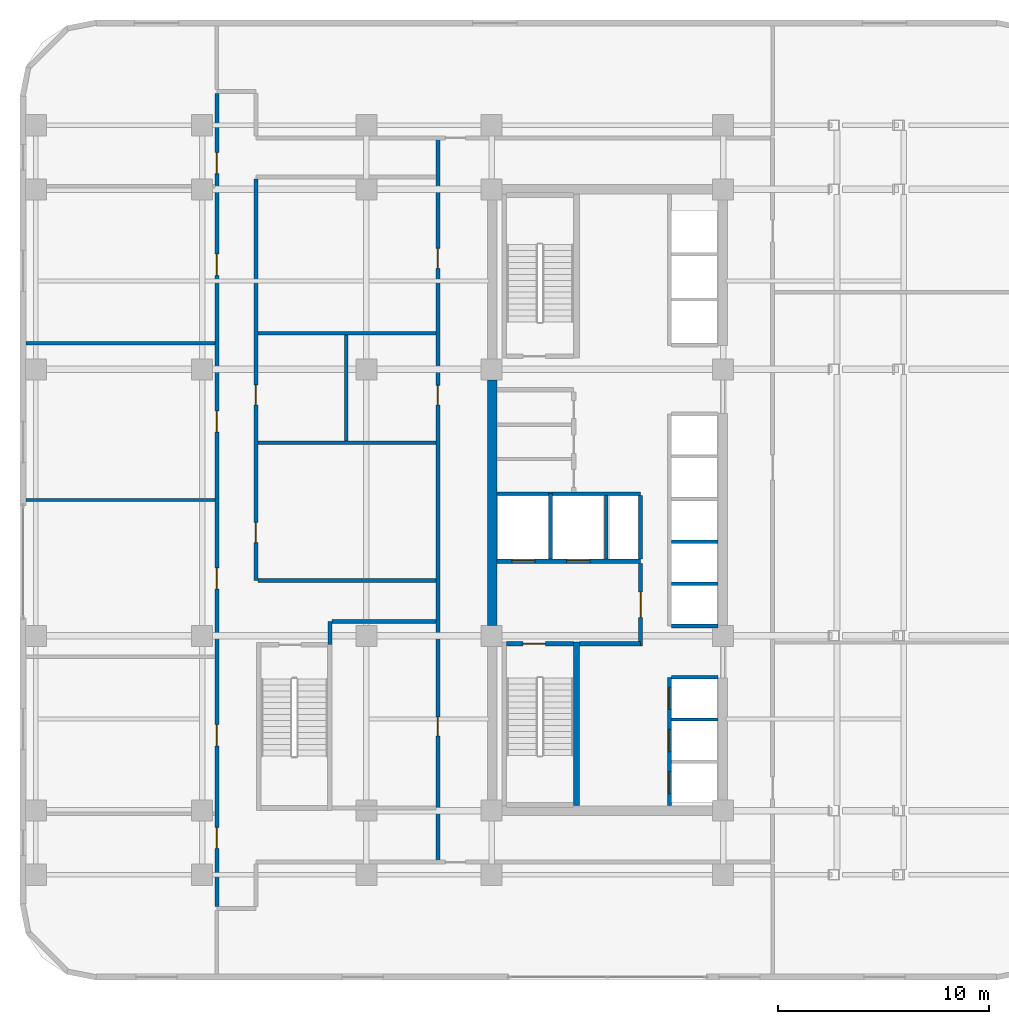
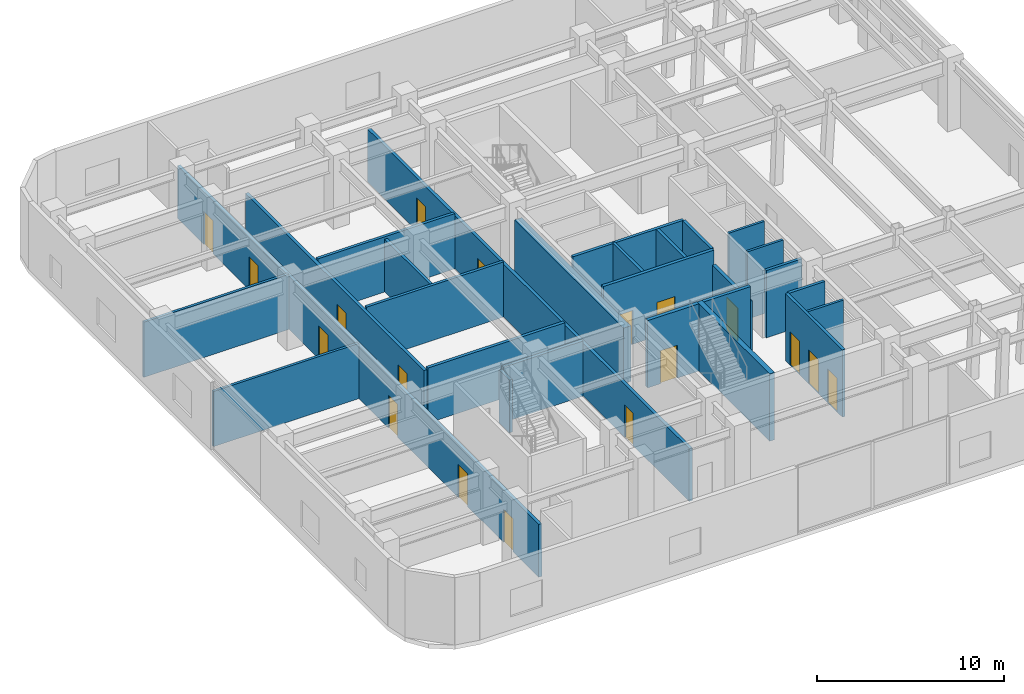
# One storey, part 5 of 10: 27 walls, 18 doors, 18 openings.
"""IFC4 building model written with IfcOpenShell, lengths in metres."""

from ifc_helpers import new_model, si_unit, direction, frame, frame_2d, origin, place, context, subcontext, project, spatial, rectangle, extrude, material, layer, layer_set, type_object, element, fill, save


model = new_model("IFC4")

# Units and contexts
model_context = context("Model", 3, precision=1e-05, world=origin(), true_north=direction((0.0, 1.0)))
body_context = subcontext(model_context, "Body", "Model", "MODEL_VIEW")
ifc_project = project(units=[si_unit("LENGTHUNIT", "METRE"), si_unit("AREAUNIT", "SQUARE_METRE"), si_unit("VOLUMEUNIT", "CUBIC_METRE"), si_unit("PLANEANGLEUNIT", "RADIAN"), si_unit("MASSUNIT", "GRAM", prefix="KILO")], contexts=[model_context])

# Site, building, storey
site_placement = place(None, origin())
site = spatial("IfcSite", under=ifc_project, at=site_placement, CompositionType="ELEMENT")
building_placement = place(site_placement, origin())
building = spatial("IfcBuilding", under=site, at=building_placement, Name="Ochreholt Gables", CompositionType="ELEMENT")
storey_placement = place(building_placement, frame((0.0, 0.0, 14.39990234375)))
storey = spatial("IfcBuildingStorey", under=building, at=storey_placement, Name="L03", CompositionType="ELEMENT", Elevation=14.39990234375)

# Wall
ifc_material_1 = material(Name="Concrete 60 MPa", Category="concrete")
ifc_layer_1 = layer(ifc_material_1, 0.449951171875, Name="Concrete 60 MPa")
ifc_layer_set_1 = layer_set([ifc_layer_1], Name="Concrete 60 MPa")
wall_type_1 = type_object("IfcWallType", Name="WALL-CSW-450", PredefinedType="SHEAR", material=ifc_layer_set_1)
wall_1_placement = place(storey_placement, frame((24.22509765625, 18.050048828125, 0.0), z_axis=(0.0, 0.0, 1.0), x_axis=(0.0, 1.0, 0.0)))
element("IfcWall", 1, at=wall_1_placement, inside=storey, type_object=wall_type_1, Name="L03 Core West Shear Wall WM", PredefinedType="SHEAR", context=body_context, shape_type="SweptSolid", body=[
    extrude(rectangle(XDim=11.64990234375, YDim=0.449951171875, at=frame_2d((5.824951171875, 0.0))), origin(), (0.0, 0.0, 1.0), 3.6201171875),
])

# Wall, openings, doors
ifc_material_2 = material(Name="Concrete 40 MPa", Category="concrete")
ifc_layer_2 = layer(ifc_material_2, 0.199951171875, Name="Concrete 40 MPa")
ifc_layer_set_2 = layer_set([ifc_layer_2], Name="Concrete 40 MPa")
wall_type_2 = type_object("IfcWallType", Name="WALL-INT-CF200", PredefinedType="STANDARD", material=ifc_layer_set_2)
wall_2_placement = place(storey_placement, frame((24.449951171875, 21.090087890625, 0.0), z_axis=(0.0, 0.0, 1.0), x_axis=(1.0, 0.0, 0.0)))
wall_2 = element("IfcWall", 2, at=wall_2_placement, inside=storey, type_object=wall_type_2, Name="L03 Interior Wall WI-FFN-L03", PredefinedType="STANDARD", context=body_context, shape_type="SweptSolid", body=[
    extrude(rectangle(XDim=6.830078125, YDim=0.199951171875, at=frame_2d((3.4150390625, 0.0))), origin(), (0.0, 0.0, 1.0), 4.39013671875),
])
opening_1_placement = place(wall_2_placement, frame((0.719970703125, 0.0, 0.0)))
opening_1 = element("IfcOpeningElement", 3, at=opening_1_placement, cuts=wall_2, Name="Opening LD-FF", PredefinedType="OPENING", context=body_context, shape_type="SweptSolid", body=[
    extrude(rectangle(XDim=1.10009765625, YDim=2.199951171875, at=frame_2d((0.550048828125, 1.10009765625))), frame((0.0, 0.10986328125, 0.0), z_axis=(0.0, -1.0, 0.0), x_axis=(1.0, 0.0, 0.0)), (0.0, 0.0, 1.0), 0.219970703125),
])
opening_2_placement = place(wall_2_placement, frame((3.320068359375, 0.0, 0.0)))
opening_2 = element("IfcOpeningElement", 4, at=opening_2_placement, cuts=wall_2, Name="Opening LD-FF", PredefinedType="OPENING", context=body_context, shape_type="SweptSolid", body=[
    extrude(rectangle(XDim=1.10009765625, YDim=2.199951171875, at=frame_2d((0.550048828125, 1.10009765625))), frame((0.0, 0.10986328125, 0.0), z_axis=(0.0, -1.0, 0.0), x_axis=(1.0, 0.0, 0.0)), (0.0, 0.0, 1.0), 0.219970703125),
])
ifc_material_3 = material(Name="Stainless Steel", Category="steel")
door_type_1 = type_object("IfcDoorType", Name="DR-LFT-FF1100", OperationType="NOTDEFINED", PredefinedType="DOOR", material=ifc_material_3)
door_1_placement = place(opening_1_placement, origin())
door_1 = element("IfcDoor", 5, at=door_1_placement, inside=storey, type_object=door_type_1, Name="L03 Door LD-FF1-L03", OperationType="SLIDING_TO_LEFT", OverallHeight=2.199951171875, OverallWidth=1.10009765625, PredefinedType="DOOR", context=body_context, shape_type="SweptSolid", body=[
    extrude(rectangle(XDim=1.10009765625, YDim=2.199951171875, at=frame_2d((0.550048828125, 1.10009765625))), frame((0.0, 0.02490234375, 0.0), z_axis=(0.0, -1.0, 0.0), x_axis=(1.0, 0.0, 0.0)), (0.0, 0.0, 1.0), 0.050048828125),
])
fill(opening_1, door_1)
door_2_placement = place(opening_2_placement, origin())
door_2 = element("IfcDoor", 6, at=door_2_placement, inside=storey, type_object=door_type_1, Name="L03 Door LD-FF2-L03", OperationType="SLIDING_TO_LEFT", OverallHeight=2.199951171875, OverallWidth=1.10009765625, PredefinedType="DOOR", context=body_context, shape_type="SweptSolid", body=[
    extrude(rectangle(XDim=1.10009765625, YDim=2.199951171875, at=frame_2d((0.550048828125, 1.10009765625))), frame((0.0, 0.02490234375, 0.0), z_axis=(0.0, -1.0, 0.0), x_axis=(1.0, 0.0, 0.0)), (0.0, 0.0, 1.0), 0.050048828125),
])
fill(opening_2, door_2)

# Wall
wall_3_placement = place(storey_placement, frame((28.3798828125, 17.169921875, 0.0), z_axis=(0.0, 0.0, 1.0), x_axis=(1.0, 0.0, 0.0)))
element("IfcWall", 7, at=wall_3_placement, inside=storey, type_object=wall_type_2, Name="L03 Interior Wall WI-FFS-L03", PredefinedType="STANDARD", context=body_context, shape_type="SweptSolid", body=[
    extrude(rectangle(XDim=2.900146484375, YDim=0.199951171875, at=frame_2d((1.4501953125, 0.0))), origin(), (0.0, 0.0, 1.0), 4.39013671875),
])

# Wall, opening, door
wall_4_placement = place(storey_placement, frame((31.280029296875, 17.070068359375, 0.0), z_axis=(0.0, 0.0, 1.0), x_axis=(0.0, 1.0, 0.0)))
wall_4 = element("IfcWall", 8, at=wall_4_placement, inside=storey, type_object=wall_type_2, Name="L03 Interior Wall WI-FFE-L03", PredefinedType="STANDARD", context=body_context, shape_type="SweptSolid", body=[
    extrude(rectangle(XDim=3.919921875, YDim=0.199951171875, at=frame_2d((1.9599609375, 0.0))), origin(), (0.0, 0.0, 1.0), 3.445068359375),
])
opening_3_placement = place(wall_4_placement, frame((1.35009765625, 0.0, 0.0)))
opening_3 = element("IfcOpeningElement", 9, at=opening_3_placement, cuts=wall_4, Name="Opening D-FFL", PredefinedType="OPENING", context=body_context, shape_type="SweptSolid", body=[
    extrude(rectangle(XDim=1.199951171875, YDim=2.14990234375, at=frame_2d((0.60009765625, 1.074951171875))), frame((0.0, 0.10986328125, 0.0), z_axis=(0.0, -1.0, 0.0), x_axis=(1.0, 0.0, 0.0)), (0.0, 0.0, 1.0), 0.219970703125),
])
ifc_material_4 = material(Name="Hollow Metal Steel", Category="steel")
door_type_2 = type_object("IfcDoorType", Name="DR-INT-FFL1200", OperationType="NOTDEFINED", PredefinedType="DOOR", material=ifc_material_4)
door_3_placement = place(opening_3_placement, origin())
door_3 = element("IfcDoor", 10, at=door_3_placement, inside=storey, type_object=door_type_2, Name="L03 Door D-FFL-L03", OperationType="SINGLE_SWING_LEFT", OverallHeight=2.14990234375, OverallWidth=1.199951171875, PredefinedType="DOOR", context=body_context, shape_type="SweptSolid", body=[
    extrude(rectangle(XDim=1.199951171875, YDim=2.14990234375, at=frame_2d((0.60009765625, 1.074951171875))), frame((0.0, 0.02490234375, 0.0), z_axis=(0.0, -1.0, 0.0), x_axis=(1.0, 0.0, 0.0)), (0.0, 0.0, 1.0), 0.050048828125),
])
fill(opening_3, door_3)

# Wall, openings, doors
ifc_material_5 = material(Name="Fire-Rated Gypsum Acoustic Partition", Category="gypsum")
ifc_layer_3 = layer(ifc_material_5, 0.18994140625, Name="Fire-Rated Gypsum Acoustic Partition")
ifc_layer_set_3 = layer_set([ifc_layer_3], Name="Fire-Rated Gypsum Acoustic Partition")
wall_type_3 = type_object("IfcWallType", Name="WALL-INT-CR190", PredefinedType="STANDARD", material=ifc_layer_set_3)
wall_5_placement = place(storey_placement, frame((21.64990234375, 6.800048828125, 0.0), z_axis=(0.0, 0.0, 1.0), x_axis=(0.0, 1.0, 0.0)))
wall_5 = element("IfcWall", 11, at=wall_5_placement, inside=storey, type_object=wall_type_3, Name="L03 Interior Wall WI-CLCW-L03", PredefinedType="STANDARD", context=body_context, shape_type="SweptSolid", body=[
    extrude(rectangle(XDim=34.39990234375, YDim=0.18994140625, at=frame_2d((17.199951171875, 0.0))), origin(), (0.0, 0.0, 1.0), 3.445068359375),
])
opening_4_placement = place(wall_5_placement, frame((21.719970703125, 0.0, 0.0)))
opening_4 = element("IfcOpeningElement", 12, at=opening_4_placement, cuts=wall_5, Name="Opening D-WC1", PredefinedType="OPENING", context=body_context, shape_type="SweptSolid", body=[
    extrude(rectangle(XDim=0.919921875, YDim=2.139892578125, at=frame_2d((0.4599609375, 1.06982421875))), frame((0.0, 0.10498046875, 0.0), z_axis=(0.0, -1.0, 0.0), x_axis=(1.0, 0.0, 0.0)), (0.0, 0.0, 1.0), 0.2099609375),
])
opening_5_placement = place(wall_5_placement, frame((28.199951171875, 0.0, 0.0)))
opening_5 = element("IfcOpeningElement", 13, at=opening_5_placement, cuts=wall_5, Name="Opening D-GN1", PredefinedType="OPENING", context=body_context, shape_type="SweptSolid", body=[
    extrude(rectangle(XDim=0.949951171875, YDim=2.14990234375, at=frame_2d((0.47509765625, 1.074951171875))), frame((0.0, 0.10498046875, 0.0), z_axis=(0.0, -1.0, 0.0), x_axis=(1.0, 0.0, 0.0)), (0.0, 0.0, 1.0), 0.2099609375),
])
opening_6_placement = place(wall_5_placement, frame((6.0, 0.0, 0.0)))
opening_6 = element("IfcOpeningElement", 14, at=opening_6_placement, cuts=wall_5, Name="Opening D-SV1", PredefinedType="OPENING", context=body_context, shape_type="SweptSolid", body=[
    extrude(rectangle(XDim=0.89990234375, YDim=2.10009765625, at=frame_2d((0.449951171875, 1.050048828125))), frame((0.0, 0.10498046875, 0.0), z_axis=(0.0, -1.0, 0.0), x_axis=(1.0, 0.0, 0.0)), (0.0, 0.0, 1.0), 0.2099609375),
])
ifc_material_6 = material(Name="Engineered Oak Timber", Category="wood")
door_type_3 = type_object("IfcDoorType", Name="DR-INT-GEN950", OperationType="NOTDEFINED", PredefinedType="DOOR", material=ifc_material_6)
door_4_placement = place(opening_5_placement, origin())
door_4 = element("IfcDoor", 15, at=door_4_placement, inside=storey, type_object=door_type_3, Name="L03 Door D-CLMN2-L03", OperationType="SINGLE_SWING_RIGHT", OverallHeight=2.14990234375, OverallWidth=0.949951171875, PredefinedType="DOOR", context=body_context, shape_type="SweptSolid", body=[
    extrude(rectangle(XDim=0.949951171875, YDim=2.14990234375, at=frame_2d((0.47509765625, 1.074951171875))), frame((0.0, 0.02490234375, 0.0), z_axis=(0.0, -1.0, 0.0), x_axis=(1.0, 0.0, 0.0)), (0.0, 0.0, 1.0), 0.050048828125),
])
fill(opening_5, door_4)
door_type_4 = type_object("IfcDoorType", Name="DR-INT-SRV900", OperationType="NOTDEFINED", PredefinedType="DOOR", material=ifc_material_4)
door_5_placement = place(opening_6_placement, origin())
door_5 = element("IfcDoor", 16, at=door_5_placement, inside=storey, type_object=door_type_4, Name="L03 Door D-CLMRS-L03", OperationType="SINGLE_SWING_LEFT", OverallHeight=2.10009765625, OverallWidth=0.89990234375, PredefinedType="DOOR", context=body_context, shape_type="SweptSolid", body=[
    extrude(rectangle(XDim=0.89990234375, YDim=2.10009765625, at=frame_2d((0.449951171875, 1.050048828125))), frame((0.0, 0.02490234375, 0.0), z_axis=(0.0, -1.0, 0.0), x_axis=(1.0, 0.0, 0.0)), (0.0, 0.0, 1.0), 0.050048828125),
])
fill(opening_6, door_5)
door_type_5 = type_object("IfcDoorType", Name="DR-INT-WC920", OperationType="NOTDEFINED", PredefinedType="DOOR", material=ifc_material_6)
door_6_placement = place(opening_4_placement, origin())
door_6 = element("IfcDoor", 17, at=door_6_placement, inside=storey, type_object=door_type_5, Name="L03 Door D-CLMWC2-L03", OperationType="SINGLE_SWING_LEFT", OverallHeight=2.139892578125, OverallWidth=0.919921875, PredefinedType="DOOR", context=body_context, shape_type="SweptSolid", body=[
    extrude(rectangle(XDim=0.919921875, YDim=2.139892578125, at=frame_2d((0.4599609375, 1.06982421875))), frame((0.0, 0.02490234375, 0.0), z_axis=(0.0, -1.0, 0.0), x_axis=(1.0, 0.0, 0.0)), (0.0, 0.0, 1.0), 0.050048828125),
])
fill(opening_4, door_6)

wall_6_placement = place(storey_placement, frame((11.14990234375, 4.695068359375, 0.0), z_axis=(0.0, 0.0, 1.0), x_axis=(0.0, 1.0, 0.0)))
wall_6 = element("IfcWall", 18, at=wall_6_placement, inside=storey, type_object=wall_type_3, Name="L03 Interior Wall WI-CLCWW-L03", PredefinedType="STANDARD", context=body_context, shape_type="SweptSolid", body=[
    extrude(rectangle(XDim=38.60986328125, YDim=0.18994140625, at=frame_2d((19.304931640625, 0.0))), origin(), (0.0, 0.0, 1.0), 3.445068359375),
])
opening_7_placement = place(wall_6_placement, frame((2.7548828125, 0.0, 0.0)))
opening_7 = element("IfcOpeningElement", 19, at=opening_7_placement, cuts=wall_6, Name="Opening D-CL3", PredefinedType="OPENING", context=body_context, shape_type="SweptSolid", body=[
    extrude(rectangle(XDim=1.0, YDim=2.14990234375, at=frame_2d((0.5, 1.074951171875))), frame((0.0, 0.10498046875, 0.0), z_axis=(0.0, -1.0, 0.0), x_axis=(1.0, 0.0, 0.0)), (0.0, 0.0, 1.0), 0.2099609375),
])
opening_8_placement = place(wall_6_placement, frame((7.6298828125, 0.0, 0.0)))
opening_8 = element("IfcOpeningElement", 20, at=opening_8_placement, cuts=wall_6, Name="Opening D-CL3", PredefinedType="OPENING", context=body_context, shape_type="SweptSolid", body=[
    extrude(rectangle(XDim=1.0, YDim=2.14990234375, at=frame_2d((0.5, 1.074951171875))), frame((0.0, 0.10498046875, 0.0), z_axis=(0.0, -1.0, 0.0), x_axis=(1.0, 0.0, 0.0)), (0.0, 0.0, 1.0), 0.2099609375),
])
opening_9_placement = place(wall_6_placement, frame((15.080078125, 0.0, 0.0)))
opening_9 = element("IfcOpeningElement", 21, at=opening_9_placement, cuts=wall_6, Name="Opening D-CL3", PredefinedType="OPENING", context=body_context, shape_type="SweptSolid", body=[
    extrude(rectangle(XDim=1.0, YDim=2.14990234375, at=frame_2d((0.5, 1.074951171875))), frame((0.0, 0.10498046875, 0.0), z_axis=(0.0, -1.0, 0.0), x_axis=(1.0, 0.0, 0.0)), (0.0, 0.0, 1.0), 0.2099609375),
])
opening_10_placement = place(wall_6_placement, frame((22.530029296875, 0.0, 0.0)))
opening_10 = element("IfcOpeningElement", 22, at=opening_10_placement, cuts=wall_6, Name="Opening D-CL3", PredefinedType="OPENING", context=body_context, shape_type="SweptSolid", body=[
    extrude(rectangle(XDim=1.0, YDim=2.14990234375, at=frame_2d((0.5, 1.074951171875))), frame((0.0, 0.10498046875, 0.0), z_axis=(0.0, -1.0, 0.0), x_axis=(1.0, 0.0, 0.0)), (0.0, 0.0, 1.0), 0.2099609375),
])
opening_11_placement = place(wall_6_placement, frame((29.97998046875, 0.0, 0.0)))
opening_11 = element("IfcOpeningElement", 23, at=opening_11_placement, cuts=wall_6, Name="Opening D-CL3", PredefinedType="OPENING", context=body_context, shape_type="SweptSolid", body=[
    extrude(rectangle(XDim=1.0, YDim=2.14990234375, at=frame_2d((0.5, 1.074951171875))), frame((0.0, 0.10498046875, 0.0), z_axis=(0.0, -1.0, 0.0), x_axis=(1.0, 0.0, 0.0)), (0.0, 0.0, 1.0), 0.2099609375),
])
opening_12_placement = place(wall_6_placement, frame((34.804931640625, 0.0, 0.0)))
opening_12 = element("IfcOpeningElement", 24, at=opening_12_placement, cuts=wall_6, Name="Opening D-CL3", PredefinedType="OPENING", context=body_context, shape_type="SweptSolid", body=[
    extrude(rectangle(XDim=1.0, YDim=2.14990234375, at=frame_2d((0.5, 1.074951171875))), frame((0.0, 0.10498046875, 0.0), z_axis=(0.0, -1.0, 0.0), x_axis=(1.0, 0.0, 0.0)), (0.0, 0.0, 1.0), 0.2099609375),
])
door_type_6 = type_object("IfcDoorType", Name="DR-INT-CLN1000", OperationType="NOTDEFINED", PredefinedType="DOOR", material=ifc_material_6)
door_7_placement = place(opening_7_placement, origin())
door_7 = element("IfcDoor", 25, at=door_7_placement, inside=storey, type_object=door_type_6, Name="L03 Door D-CLW1-L03", OperationType="SINGLE_SWING_LEFT", OverallHeight=2.14990234375, OverallWidth=1.0, PredefinedType="DOOR", context=body_context, shape_type="SweptSolid", body=[
    extrude(rectangle(XDim=1.0, YDim=2.14990234375, at=frame_2d((0.5, 1.074951171875))), frame((0.0, 0.02490234375, 0.0), z_axis=(0.0, -1.0, 0.0), x_axis=(1.0, 0.0, 0.0)), (0.0, 0.0, 1.0), 0.050048828125),
])
fill(opening_7, door_7)
door_8_placement = place(opening_8_placement, origin())
door_8 = element("IfcDoor", 26, at=door_8_placement, inside=storey, type_object=door_type_6, Name="L03 Door D-CLW2-L03", OperationType="SINGLE_SWING_RIGHT", OverallHeight=2.14990234375, OverallWidth=1.0, PredefinedType="DOOR", context=body_context, shape_type="SweptSolid", body=[
    extrude(rectangle(XDim=1.0, YDim=2.14990234375, at=frame_2d((0.5, 1.074951171875))), frame((0.0, 0.02490234375, 0.0), z_axis=(0.0, -1.0, 0.0), x_axis=(1.0, 0.0, 0.0)), (0.0, 0.0, 1.0), 0.050048828125),
])
fill(opening_8, door_8)
door_9_placement = place(opening_9_placement, origin())
door_9 = element("IfcDoor", 27, at=door_9_placement, inside=storey, type_object=door_type_6, Name="L03 Door D-CLW3-L03", OperationType="SINGLE_SWING_LEFT", OverallHeight=2.14990234375, OverallWidth=1.0, PredefinedType="DOOR", context=body_context, shape_type="SweptSolid", body=[
    extrude(rectangle(XDim=1.0, YDim=2.14990234375, at=frame_2d((0.5, 1.074951171875))), frame((0.0, 0.02490234375, 0.0), z_axis=(0.0, -1.0, 0.0), x_axis=(1.0, 0.0, 0.0)), (0.0, 0.0, 1.0), 0.050048828125),
])
fill(opening_9, door_9)
door_10_placement = place(opening_10_placement, origin())
door_10 = element("IfcDoor", 28, at=door_10_placement, inside=storey, type_object=door_type_6, Name="L03 Door D-CLW4-L03", OperationType="SINGLE_SWING_RIGHT", OverallHeight=2.14990234375, OverallWidth=1.0, PredefinedType="DOOR", context=body_context, shape_type="SweptSolid", body=[
    extrude(rectangle(XDim=1.0, YDim=2.14990234375, at=frame_2d((0.5, 1.074951171875))), frame((0.0, 0.02490234375, 0.0), z_axis=(0.0, -1.0, 0.0), x_axis=(1.0, 0.0, 0.0)), (0.0, 0.0, 1.0), 0.050048828125),
])
fill(opening_10, door_10)
door_11_placement = place(opening_11_placement, origin())
door_11 = element("IfcDoor", 29, at=door_11_placement, inside=storey, type_object=door_type_6, Name="L03 Door D-CLW5-L03", OperationType="SINGLE_SWING_LEFT", OverallHeight=2.14990234375, OverallWidth=1.0, PredefinedType="DOOR", context=body_context, shape_type="SweptSolid", body=[
    extrude(rectangle(XDim=1.0, YDim=2.14990234375, at=frame_2d((0.5, 1.074951171875))), frame((0.0, 0.02490234375, 0.0), z_axis=(0.0, -1.0, 0.0), x_axis=(1.0, 0.0, 0.0)), (0.0, 0.0, 1.0), 0.050048828125),
])
fill(opening_11, door_11)
door_12_placement = place(opening_12_placement, origin())
door_12 = element("IfcDoor", 30, at=door_12_placement, inside=storey, type_object=door_type_6, Name="L03 Door D-CLW6-L03", OperationType="SINGLE_SWING_RIGHT", OverallHeight=2.14990234375, OverallWidth=1.0, PredefinedType="DOOR", context=body_context, shape_type="SweptSolid", body=[
    extrude(rectangle(XDim=1.0, YDim=2.14990234375, at=frame_2d((0.5, 1.074951171875))), frame((0.0, 0.02490234375, 0.0), z_axis=(0.0, -1.0, 0.0), x_axis=(1.0, 0.0, 0.0)), (0.0, 0.0, 1.0), 0.050048828125),
])
fill(opening_12, door_12)

wall_7_placement = place(storey_placement, frame((13.0, 20.179931640625, 0.0), z_axis=(0.0, 0.0, 1.0), x_axis=(0.0, 1.0, 0.0)))
wall_7 = element("IfcWall", 31, at=wall_7_placement, inside=storey, type_object=wall_type_3, Name="L03 Interior Wall WI-CLCWE-L03", PredefinedType="STANDARD", context=body_context, shape_type="SweptSolid", body=[
    extrude(rectangle(XDim=19.074951171875, YDim=0.18994140625, at=frame_2d((9.53759765625, 0.0))), origin(), (0.0, 0.0, 1.0), 3.445068359375),
])
opening_13_placement = place(wall_7_placement, frame((1.800048828125, 0.0, 0.0)))
opening_13 = element("IfcOpeningElement", 32, at=opening_13_placement, cuts=wall_7, Name="Opening D-GN1", PredefinedType="OPENING", context=body_context, shape_type="SweptSolid", body=[
    extrude(rectangle(XDim=0.949951171875, YDim=2.14990234375, at=frame_2d((0.47509765625, 1.074951171875))), frame((0.0, 0.10498046875, 0.0), z_axis=(0.0, -1.0, 0.0), x_axis=(1.0, 0.0, 0.0)), (0.0, 0.0, 1.0), 0.2099609375),
])
opening_14_placement = place(wall_7_placement, frame((8.340087890625, 0.0, 0.0)))
opening_14 = element("IfcOpeningElement", 33, at=opening_14_placement, cuts=wall_7, Name="Opening D-WC2", PredefinedType="OPENING", context=body_context, shape_type="SweptSolid", body=[
    extrude(rectangle(XDim=0.949951171875, YDim=2.139892578125, at=frame_2d((0.47509765625, 1.06982421875))), frame((0.0, 0.10498046875, 0.0), z_axis=(0.0, -1.0, 0.0), x_axis=(1.0, 0.0, 0.0)), (0.0, 0.0, 1.0), 0.2099609375),
])
door_13_placement = place(opening_13_placement, origin())
door_13 = element("IfcDoor", 34, at=door_13_placement, inside=storey, type_object=door_type_3, Name="L03 Door D-CLMN1-L03", OperationType="SINGLE_SWING_LEFT", OverallHeight=2.14990234375, OverallWidth=0.949951171875, PredefinedType="DOOR", context=body_context, shape_type="SweptSolid", body=[
    extrude(rectangle(XDim=0.949951171875, YDim=2.14990234375, at=frame_2d((0.47509765625, 1.074951171875))), frame((0.0, 0.02490234375, 0.0), z_axis=(0.0, -1.0, 0.0), x_axis=(1.0, 0.0, 0.0)), (0.0, 0.0, 1.0), 0.050048828125),
])
fill(opening_13, door_13)
door_type_7 = type_object("IfcDoorType", Name="DR-INT-WC950", OperationType="NOTDEFINED", PredefinedType="DOOR", material=ifc_material_6)
door_14_placement = place(opening_14_placement, origin())
door_14 = element("IfcDoor", 35, at=door_14_placement, inside=storey, type_object=door_type_7, Name="L03 Door D-CLMWC1-L03", OperationType="SINGLE_SWING_RIGHT", OverallHeight=2.139892578125, OverallWidth=0.949951171875, PredefinedType="DOOR", context=body_context, shape_type="SweptSolid", body=[
    extrude(rectangle(XDim=0.949951171875, YDim=2.139892578125, at=frame_2d((0.47509765625, 1.06982421875))), frame((0.0, 0.02490234375, 0.0), z_axis=(0.0, -1.0, 0.0), x_axis=(1.0, 0.0, 0.0)), (0.0, 0.0, 1.0), 0.050048828125),
])
fill(opening_14, door_14)

# Walls
wall_8_placement = place(storey_placement, frame((16.6298828125, 18.219970703125, 0.0), z_axis=(0.0, 0.0, 1.0), x_axis=(1.0, 0.0, 0.0)))
element("IfcWall", 36, at=wall_8_placement, inside=storey, type_object=wall_type_3, Name="L03 Interior Wall WI-CLSTP-L03", PredefinedType="STANDARD", context=body_context, shape_type="SweptSolid", body=[
    extrude(rectangle(XDim=4.925048828125, YDim=0.18994140625, at=frame_2d((2.46240234375, 0.0))), origin(), (0.0, 0.0, 1.0), 3.60205078125),
])
wall_9_placement = place(storey_placement, frame((16.52001953125, 17.1298828125, 0.0), z_axis=(0.0, 0.0, 1.0), x_axis=(0.0, 1.0, 0.0)))
element("IfcWall", 37, at=wall_9_placement, inside=storey, type_object=wall_type_3, Name="L03 Interior Wall WI-CLSTPE-L03", PredefinedType="STANDARD", context=body_context, shape_type="SweptSolid", body=[
    extrude(rectangle(XDim=1.090087890625, YDim=0.18994140625, at=frame_2d((0.544921875, 0.0))), origin(), (0.0, 0.0, 1.0), 3.445068359375),
])
wall_10_placement = place(storey_placement, frame((13.094970703125, 20.179931640625, 0.0), z_axis=(0.0, 0.0, 1.0), x_axis=(1.0, 0.0, 0.0)))
element("IfcWall", 38, at=wall_10_placement, inside=storey, type_object=wall_type_3, Name="L03 Interior Wall WI-CLSTP2-L03", PredefinedType="STANDARD", context=body_context, shape_type="SweptSolid", body=[
    extrude(rectangle(XDim=8.4599609375, YDim=0.18994140625, at=frame_2d((4.22998046875, 0.0))), origin(), (0.0, 0.0, 1.0), 3.60205078125),
])
ifc_material_7 = material(Name="Moisture-Resistant Plumbing Chase Wall", Category="gypsum")
ifc_layer_4 = layer(ifc_material_7, 0.175048828125, Name="Moisture-Resistant Plumbing Chase Wall")
ifc_layer_set_4 = layer_set([ifc_layer_4], Name="Moisture-Resistant Plumbing Chase Wall")
wall_type_4 = type_object("IfcWallType", Name="WALL-INT-PL175", PredefinedType="PLUMBINGWALL", material=ifc_layer_set_4)
for number, where, z_axis, x_axis, name in (
    (39, (13.094970703125, 26.719970703125, 0.0), (0.0, 0.0, 1.0), (1.0, 0.0, 0.0), "L03 Interior Wall WI-CLMW1-L03"),
    (40, (13.094970703125, 31.919921875, 0.0), (0.0, 0.0, 1.0), (1.0, 0.0, 0.0), "L03 Interior Wall WI-CLMW2-L03"),
):
    element("IfcWall", number, at=place(storey_placement, frame(where, z_axis=z_axis, x_axis=x_axis)), inside=storey, type_object=wall_type_4, Name=name, PredefinedType="PLUMBINGWALL", context=body_context, shape_type="SweptSolid", body=[
        extrude(rectangle(XDim=8.4599609375, YDim=0.175048828125, at=frame_2d((4.22998046875, 0.0))), origin(), (0.0, 0.0, 1.0), 3.60205078125),
    ])
wall_11_placement = place(storey_placement, frame((17.300048828125, 26.8076171875, 0.0), z_axis=(0.0, 0.0, 1.0), x_axis=(0.0, 1.0, 0.0)))
element("IfcWall", 41, at=wall_11_placement, inside=storey, type_object=wall_type_4, Name="L03 Interior Wall WI-CLMW3-L03", PredefinedType="PLUMBINGWALL", context=body_context, shape_type="SweptSolid", body=[
    extrude(rectangle(XDim=5.02490234375, YDim=0.175048828125, at=frame_2d((2.512451171875, 0.0))), origin(), (0.0, 0.0, 1.0), 3.445068359375),
])
ifc_material_8 = material(Name="Gypsum Acoustic Stud Partition", Category="gypsum")
ifc_layer_5 = layer(ifc_material_8, 0.159912109375, Name="Gypsum Acoustic Stud Partition")
ifc_layer_set_5 = layer_set([ifc_layer_5], Name="Gypsum Acoustic Stud Partition")
wall_type_5 = type_object("IfcWallType", Name="WALL-INT-PT160", PredefinedType="PARTITIONING", material=ifc_layer_set_5)
for number, where, z_axis, x_axis, name in (
    (42, (2.090087890625, 24.0, 0.0), (0.0, 0.0, 1.0), (1.0, 0.0, 0.0), "L03 Interior Wall WI-CLW3-L03"),
    (43, (2.090087890625, 31.449951171875, 0.0), (0.0, 0.0, 1.0), (1.0, 0.0, 0.0), "L03 Interior Wall WI-CLW4-L03"),
):
    element("IfcWall", number, at=place(storey_placement, frame(where, z_axis=z_axis, x_axis=x_axis)), inside=storey, type_object=wall_type_5, Name=name, PredefinedType="PARTITIONING", context=body_context, shape_type="SweptSolid", body=[
        extrude(rectangle(XDim=8.96484375, YDim=0.159912109375, at=frame_2d((4.482421875, 0.0))), origin(), (0.0, 0.0, 1.0), 3.60205078125),
    ])
ifc_material_9 = material(Name="Gypsum Shaftliner and Steel Stud", Category="steel")
ifc_layer_6 = layer(ifc_material_9, 0.14990234375, Name="Gypsum Shaftliner and Steel Stud")
ifc_layer_set_6 = layer_set([ifc_layer_6], Name="Gypsum Shaftliner and Steel Stud")
wall_type_6 = type_object("IfcWallType", Name="WALL-INT-SH150", PredefinedType="STANDARD", material=ifc_layer_set_6)
for number, where, z_axis, x_axis, name in (
    (44, (32.739990234375, 13.570068359375, 0.0), (0.0, 0.0, 1.0), (1.0, 0.0, 0.0), "L03 Interior Wall WI-LFL-D2-L03"),
    (45, (32.739990234375, 20.02001953125, 0.0), (0.0, 0.0, 1.0), (1.0, 0.0, 0.0), "L03 Interior Wall WI-LFHE-DH1-L03"),
    (46, (32.739990234375, 22.02001953125, 0.0), (0.0, 0.0, 1.0), (1.0, 0.0, 0.0), "L03 Interior Wall WI-LFHE-DH2-L03"),
):
    element("IfcWall", number, at=place(storey_placement, frame(where, z_axis=z_axis, x_axis=x_axis)), inside=storey, type_object=wall_type_6, Name=name, PredefinedType="STANDARD", context=body_context, shape_type="SweptSolid", body=[
        extrude(rectangle(XDim=2.2099609375, YDim=0.14990234375, at=frame_2d((1.10498046875, 0.0))), origin(), (0.0, 0.0, 1.0), 4.39013671875),
    ])
ifc_layer_7 = layer(ifc_material_9, 0.179931640625, Name="Gypsum Shaftliner and Steel Stud")
ifc_layer_set_7 = layer_set([ifc_layer_7], Name="Gypsum Shaftliner and Steel Stud")
wall_type_7 = type_object("IfcWallType", Name="WALL-INT-SH180", PredefinedType="STANDARD", material=ifc_layer_set_7)
wall_12_placement = place(storey_placement, frame((27.0, 21.18994140625, 0.0), z_axis=(0.0, 0.0, 1.0), x_axis=(0.0, 1.0, 0.0)))
element("IfcWall", 47, at=wall_12_placement, inside=storey, type_object=wall_type_7, Name="L03 Interior Wall WI-FFDIV-L03", PredefinedType="STANDARD", context=body_context, shape_type="SweptSolid", body=[
    extrude(rectangle(XDim=3.110107421875, YDim=0.179931640625, at=frame_2d((1.55517578125, 0.0))), origin(), (0.0, 0.0, 1.0), 4.39013671875),
])
wall_13_placement = place(storey_placement, frame((24.449951171875, 24.300048828125, 0.0), z_axis=(0.0, 0.0, 1.0), x_axis=(1.0, 0.0, 0.0)))
element("IfcWall", 48, at=wall_13_placement, inside=storey, type_object=wall_type_7, Name="L03 Interior Wall WI-FFBK-L03", PredefinedType="STANDARD", context=body_context, shape_type="SweptSolid", body=[
    extrude(rectangle(XDim=6.830078125, YDim=0.179931640625, at=frame_2d((3.4150390625, 0.0))), origin(), (0.0, 0.0, 1.0), 4.39013671875),
])
for number, where, z_axis, x_axis, name in (
    (49, (29.64990234375, 21.18994140625, 0.0), (0.0, 0.0, 1.0), (0.0, 1.0, 0.0), "L03 Interior Wall WI-FFSH-L03"),
    (50, (31.280029296875, 21.18994140625, 0.0), (0.0, 0.0, 1.0), (0.0, 1.0, 0.0), "L03 Interior Wall WI-RSE-L03"),
):
    element("IfcWall", number, at=place(storey_placement, frame(where, z_axis=z_axis, x_axis=x_axis)), inside=storey, type_object=wall_type_7, Name=name, PredefinedType="STANDARD", context=body_context, shape_type="SweptSolid", body=[
        extrude(rectangle(XDim=3.02001953125, YDim=0.179931640625, at=frame_2d((1.510009765625, 0.0))), origin(), (0.0, 0.0, 1.0), 4.39013671875),
    ])

# Wall, openings, doors
wall_14_placement = place(storey_placement, frame((32.64990234375, 9.5, 0.0), z_axis=(0.0, 0.0, 1.0), x_axis=(0.0, 1.0, 0.0)))
wall_14 = element("IfcWall", 51, at=wall_14_placement, inside=storey, type_object=wall_type_7, Name="L03 Interior Wall WI-LFL-FR-L03", PredefinedType="STANDARD", context=body_context, shape_type="SweptSolid", body=[
    extrude(rectangle(XDim=6.080078125, YDim=0.179931640625, at=frame_2d((3.0400390625, 0.0))), origin(), (0.0, 0.0, 1.0), 4.39013671875),
])
opening_15_placement = place(wall_14_placement, frame((0.550048828125, 0.0, 0.0)))
opening_15 = element("IfcOpeningElement", 52, at=opening_15_placement, cuts=wall_14, Name="Opening LD-PX", PredefinedType="OPENING", context=body_context, shape_type="SweptSolid", body=[
    extrude(rectangle(XDim=1.050048828125, YDim=2.199951171875, at=frame_2d((0.52490234375, 1.10009765625))), frame((0.0, 0.099853515625, 0.0), z_axis=(0.0, -1.0, 0.0), x_axis=(1.0, 0.0, 0.0)), (0.0, 0.0, 1.0), 0.199951171875),
])
opening_16_placement = place(wall_14_placement, frame((2.550048828125, 0.0, 0.0)))
opening_16 = element("IfcOpeningElement", 53, at=opening_16_placement, cuts=wall_14, Name="Opening LD-PX", PredefinedType="OPENING", context=body_context, shape_type="SweptSolid", body=[
    extrude(rectangle(XDim=1.050048828125, YDim=2.199951171875, at=frame_2d((0.52490234375, 1.10009765625))), frame((0.0, 0.099853515625, 0.0), z_axis=(0.0, -1.0, 0.0), x_axis=(1.0, 0.0, 0.0)), (0.0, 0.0, 1.0), 0.199951171875),
])
opening_17_placement = place(wall_14_placement, frame((4.550048828125, 0.0, 0.0)))
opening_17 = element("IfcOpeningElement", 54, at=opening_17_placement, cuts=wall_14, Name="Opening LD-PX", PredefinedType="OPENING", context=body_context, shape_type="SweptSolid", body=[
    extrude(rectangle(XDim=1.050048828125, YDim=2.199951171875, at=frame_2d((0.52490234375, 1.10009765625))), frame((0.0, 0.099853515625, 0.0), z_axis=(0.0, -1.0, 0.0), x_axis=(1.0, 0.0, 0.0)), (0.0, 0.0, 1.0), 0.199951171875),
])
door_type_8 = type_object("IfcDoorType", Name="DR-LFT-PX1050", OperationType="NOTDEFINED", PredefinedType="DOOR", material=ifc_material_3)
door_15_placement = place(opening_15_placement, origin())
door_15 = element("IfcDoor", 55, at=door_15_placement, inside=storey, type_object=door_type_8, Name="L03 Door LD-L1-L03", OperationType="SLIDING_TO_LEFT", OverallHeight=2.199951171875, OverallWidth=1.050048828125, PredefinedType="DOOR", context=body_context, shape_type="SweptSolid", body=[
    extrude(rectangle(XDim=1.050048828125, YDim=2.199951171875, at=frame_2d((0.52490234375, 1.10009765625))), frame((0.0, 0.02490234375, 0.0), z_axis=(0.0, -1.0, 0.0), x_axis=(1.0, 0.0, 0.0)), (0.0, 0.0, 1.0), 0.050048828125),
])
fill(opening_15, door_15)
door_16_placement = place(opening_16_placement, origin())
door_16 = element("IfcDoor", 56, at=door_16_placement, inside=storey, type_object=door_type_8, Name="L03 Door LD-L2-L03", OperationType="SLIDING_TO_LEFT", OverallHeight=2.199951171875, OverallWidth=1.050048828125, PredefinedType="DOOR", context=body_context, shape_type="SweptSolid", body=[
    extrude(rectangle(XDim=1.050048828125, YDim=2.199951171875, at=frame_2d((0.52490234375, 1.10009765625))), frame((0.0, 0.02490234375, 0.0), z_axis=(0.0, -1.0, 0.0), x_axis=(1.0, 0.0, 0.0)), (0.0, 0.0, 1.0), 0.050048828125),
])
fill(opening_16, door_16)
door_17_placement = place(opening_17_placement, origin())
door_17 = element("IfcDoor", 57, at=door_17_placement, inside=storey, type_object=door_type_8, Name="L03 Door LD-L3-L03", OperationType="SLIDING_TO_LEFT", OverallHeight=2.199951171875, OverallWidth=1.050048828125, PredefinedType="DOOR", context=body_context, shape_type="SweptSolid", body=[
    extrude(rectangle(XDim=1.050048828125, YDim=2.199951171875, at=frame_2d((0.52490234375, 1.10009765625))), frame((0.0, 0.02490234375, 0.0), z_axis=(0.0, -1.0, 0.0), x_axis=(1.0, 0.0, 0.0)), (0.0, 0.0, 1.0), 0.050048828125),
])
fill(opening_17, door_17)

# Walls
for number, where, z_axis, x_axis, name in (
    (58, (32.739990234375, 15.580078125, 0.0), (0.0, 0.0, 1.0), (1.0, 0.0, 0.0), "L03 Interior Wall WI-LFL-N-L03"),
    (59, (32.739990234375, 18.02001953125, 0.0), (0.0, 0.0, 1.0), (1.0, 0.0, 0.0), "L03 Interior Wall WI-LFHE-S-L03"),
):
    element("IfcWall", number, at=place(storey_placement, frame(where, z_axis=z_axis, x_axis=x_axis)), inside=storey, type_object=wall_type_7, Name=name, PredefinedType="STANDARD", context=body_context, shape_type="SweptSolid", body=[
        extrude(rectangle(XDim=2.2099609375, YDim=0.179931640625, at=frame_2d((1.10498046875, 0.0))), origin(), (0.0, 0.0, 1.0), 4.39013671875),
    ])
ifc_layer_8 = layer(ifc_material_1, 0.300048828125, Name="Concrete 60 MPa")
ifc_layer_set_8 = layer_set([ifc_layer_8], Name="Concrete 60 MPa")
wall_type_8 = type_object("IfcWallType", Name="WALL-SPN-300", PredefinedType="SHEAR", material=ifc_layer_set_8)
wall_15_placement = place(storey_placement, frame((28.22998046875, 9.5, 0.0), z_axis=(0.0, 0.0, 1.0), x_axis=(0.0, 1.0, 0.0)))
element("IfcWall", 60, at=wall_15_placement, inside=storey, type_object=wall_type_8, Name="L03 Core South Spine Shear Wall", PredefinedType="SHEAR", context=body_context, shape_type="SweptSolid", body=[
    extrude(rectangle(XDim=7.760009765625, YDim=0.300048828125, at=frame_2d((3.8798828125, 0.0))), origin(), (0.0, 0.0, 1.0), 4.39013671875),
])

# Wall, opening, door
ifc_material_10 = material(Name="Concrete 50 MPa", Category="concrete")
ifc_layer_9 = layer(ifc_material_10, 0.219970703125, Name="Concrete 50 MPa")
ifc_layer_set_9 = layer_set([ifc_layer_9], Name="Concrete 50 MPa")
wall_type_9 = type_object("IfcWallType", Name="WALL-STW-220", PredefinedType="SHEAR", material=ifc_layer_set_9)
wall_16_placement = place(storey_placement, frame((24.919921875, 17.169921875, 0.0), z_axis=(0.0, 0.0, 1.0), x_axis=(1.0, 0.0, 0.0)))
wall_16 = element("IfcWall", 61, at=wall_16_placement, inside=storey, type_object=wall_type_9, Name="L03 Exit Stair 1 North Wall", PredefinedType="SHEAR", context=body_context, shape_type="SweptSolid", body=[
    extrude(rectangle(XDim=3.16015625, YDim=0.219970703125, at=frame_2d((1.580078125, 0.0))), origin(), (0.0, 0.0, 1.0), 4.39013671875),
])
opening_18_placement = place(wall_16_placement, frame((0.780029296875, 0.0, 0.0)))
opening_18 = element("IfcOpeningElement", 62, at=opening_18_placement, cuts=wall_16, Name="Opening D-STC", PredefinedType="OPENING", context=body_context, shape_type="SweptSolid", body=[
    extrude(rectangle(XDim=1.050048828125, YDim=2.14990234375, at=frame_2d((0.52490234375, 1.074951171875))), frame((0.0, 0.119873046875, 0.0), z_axis=(0.0, -1.0, 0.0), x_axis=(1.0, 0.0, 0.0)), (0.0, 0.0, 1.0), 0.239990234375),
])
door_type_9 = type_object("IfcDoorType", Name="DR-INT-ST1050", OperationType="NOTDEFINED", PredefinedType="DOOR", material=ifc_material_4)
door_18_placement = place(opening_18_placement, frame((1.050048828125, 0.0, 0.0), z_axis=(0.0, 0.0, 1.0), x_axis=(-1.0, 0.0, 0.0)))
door_18 = element("IfcDoor", 63, at=door_18_placement, inside=storey, type_object=door_type_9, Name="L03 Door D-ST1-L03", OperationType="SINGLE_SWING_LEFT", OverallHeight=2.14990234375, OverallWidth=1.050048828125, PredefinedType="DOOR", context=body_context, shape_type="SweptSolid", body=[
    extrude(rectangle(XDim=1.050048828125, YDim=2.14990234375, at=frame_2d((0.52490234375, 1.074951171875))), frame((0.0, 0.02490234375, 0.0), z_axis=(0.0, -1.0, 0.0), x_axis=(1.0, 0.0, 0.0)), (0.0, 0.0, 1.0), 0.050048828125),
])
fill(opening_18, door_18)

save(model, "model.ifc")
